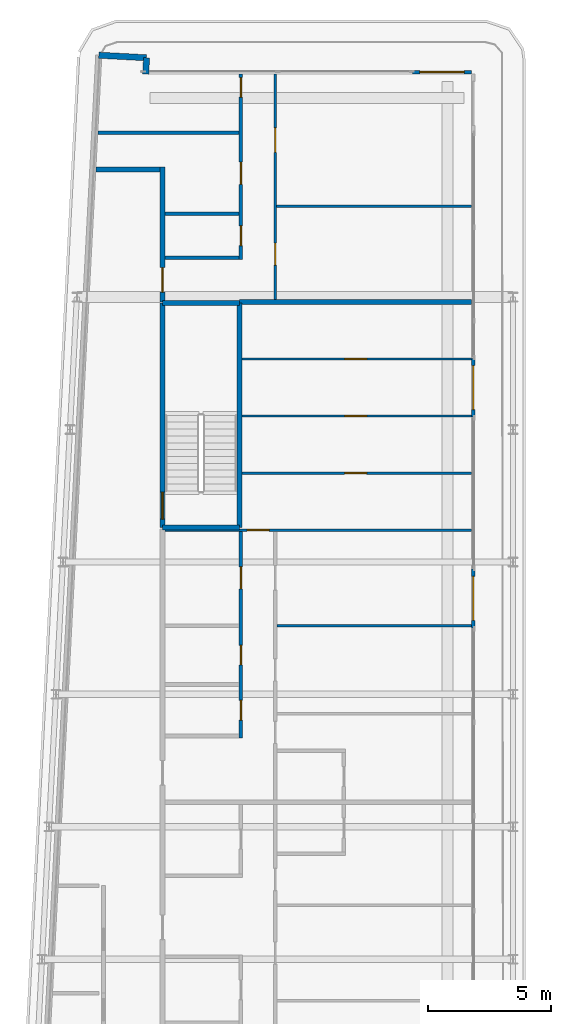
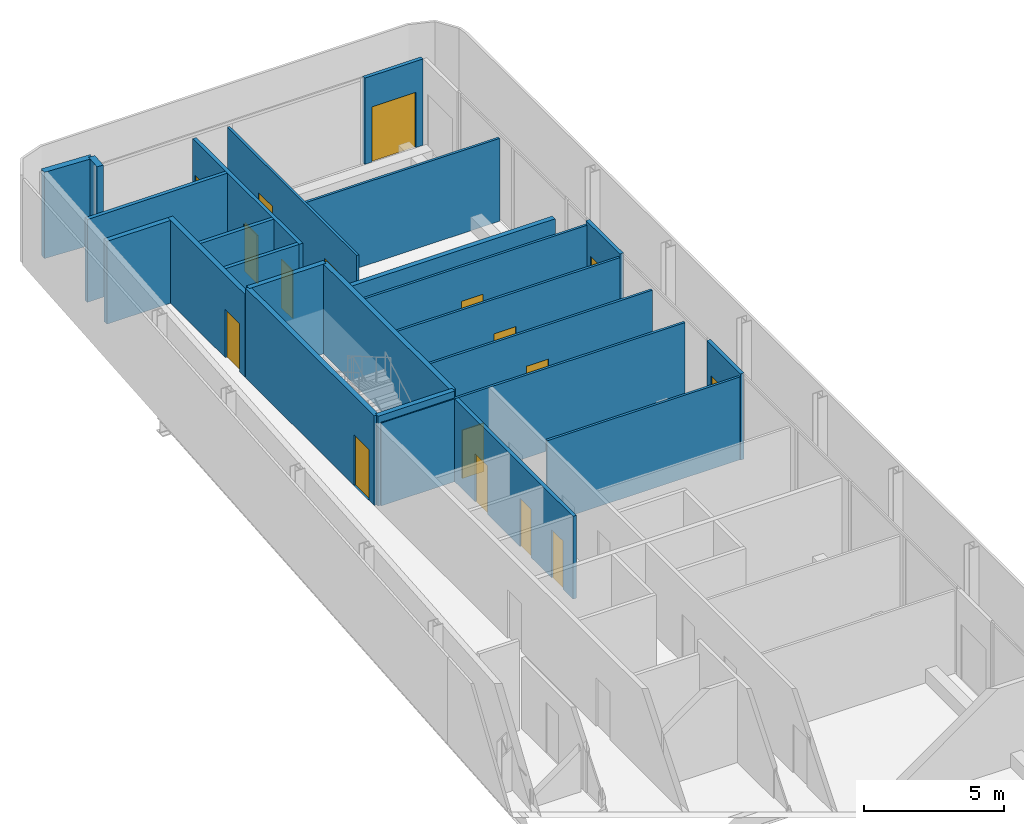
# One storey, part 14 of 21: 24 walls, 17 doors, 17 openings.
"""IFC4 building model written with IfcOpenShell, lengths in metres."""

from ifc_helpers import new_model, si_unit, direction, frame, frame_2d, origin, place, context, subcontext, project, spatial, rectangle, extrude, source, transform, mapped, material, layer, layer_set, type_object, element, fill, save


model = new_model("IFC4")

# Units and contexts
model_context = context("Model", 3, precision=1e-05, world=origin(), true_north=direction((0.0, 1.0)))
body_context = subcontext(model_context, "Body", "Model", "MODEL_VIEW")
ifc_project = project(units=[si_unit("LENGTHUNIT", "METRE"), si_unit("AREAUNIT", "SQUARE_METRE"), si_unit("VOLUMEUNIT", "CUBIC_METRE"), si_unit("PLANEANGLEUNIT", "RADIAN"), si_unit("MASSUNIT", "GRAM", prefix="KILO")], contexts=[model_context])

# Site, building, storey
site_placement = place(None, origin())
site = spatial("IfcSite", under=ifc_project, at=site_placement, CompositionType="ELEMENT")
building_placement = place(site_placement, origin())
building = spatial("IfcBuilding", under=site, at=building_placement, Name="Kheshtan School and Residences Tower", CompositionType="ELEMENT")
storey_placement = place(building_placement, frame((0.0, 0.0, 282.5)))
storey = spatial("IfcBuildingStorey", under=building, at=storey_placement, Name="L66", CompositionType="ELEMENT", Elevation=282.5)

# Wall
ifc_material_1 = material(Name="Gypsum board on steel studs with fire boards", Category="steel")
ifc_layer_1 = layer(ifc_material_1, 0.199951171875)
ifc_layer_set_1 = layer_set([ifc_layer_1], Name="Corridor wall 200")
wall_type_1 = type_object("IfcWallType", Name="Corridor wall 200", PredefinedType="PARTITIONING", material=ifc_layer_set_1)
wall_1_placement = place(storey_placement, frame((30.584716796875, 94.0, 0.0), z_axis=(0.0, 0.0, 1.0), x_axis=(1.0, 0.0, 0.0)))
element("IfcWall", 1, at=wall_1_placement, inside=storey, type_object=wall_type_1, Name="Partition L66-002", PredefinedType="PARTITIONING", context=body_context, shape_type="SweptSolid", body=[
    extrude(rectangle(XDim=2.615234375, YDim=0.199951171875, at=frame_2d((1.3076171875, 0.0))), origin(), (0.0, 0.0, 1.0), 3.60009765625),
])

# Wall, opening, door
wall_2_placement = place(storey_placement, frame((33.300048828125, 88.60009765625, 0.0), z_axis=(0.0, 0.0, 1.0), x_axis=(0.0, 1.0, 0.0)))
wall_2 = element("IfcWall", 2, at=wall_2_placement, inside=storey, type_object=wall_type_1, Name="Partition L66-004", PredefinedType="PARTITIONING", context=body_context, shape_type="SweptSolid", body=[
    extrude(rectangle(XDim=5.5, YDim=0.199951171875, at=frame_2d((2.75, 0.0))), origin(), (0.0, 0.0, 1.0), 3.60009765625),
])
opening_1_placement = place(wall_2_placement, frame((0.39990234375, 0.0, 0.0)))
opening_1 = element("IfcOpeningElement", 3, at=opening_1_placement, cuts=wall_2, Name="Opening D66-023", PredefinedType="OPENING", context=body_context, shape_type="SweptSolid", body=[
    extrude(rectangle(XDim=1.0, YDim=2.10009765625, at=frame_2d((0.5, 1.050048828125))), frame((0.0, 0.10986328125, 0.0), z_axis=(0.0, -1.0, 0.0), x_axis=(1.0, 0.0, 0.0)), (0.0, 0.0, 1.0), 0.219970703125),
])
ifc_material_2 = material(Name="Steel-framed fire-resisting door leaf", Category="steel")
door_type_1 = type_object("IfcDoorType", Name="Fire door FD30S 1000 x 2100", OperationType="SINGLE_SWING_LEFT", PredefinedType="DOOR", material=ifc_material_2)
shared_shape_1 = source(origin(), body_context, "Body", "SweptSolid", [
    extrude(rectangle(XDim=1.0, YDim=2.10009765625, at=frame_2d((0.5, 1.050048828125))), frame((0.0, 0.02490234375, 0.0), z_axis=(0.0, -1.0, 0.0), x_axis=(1.0, 0.0, 0.0)), (0.0, 0.0, 1.0), 0.050048828125),
])
door_1_placement = place(opening_1_placement, origin())
door_1 = element("IfcDoor", 4, at=door_1_placement, inside=storey, type_object=door_type_1, Name="Door D66-023", OperationType="SINGLE_SWING_LEFT", OverallHeight=2.10009765625, OverallWidth=1.0, PredefinedType="DOOR", context=body_context, shape_type="MappedRepresentation", body=[
    mapped(shared_shape_1, transform((0.0, 0.0, 0.0), x_axis=(1.0, 0.0, 0.0), y_axis=(0.0, 1.0, 0.0), z_axis=(0.0, 0.0, 1.0), scale=1.0)),
])
fill(opening_1, door_1)

# Walls
ifc_material_3 = material(Name="Concrete C40/50 with ceramic cladding and mineral wool insulation", Category="concrete")
ifc_layer_2 = layer(ifc_material_3, 0.25)
ifc_layer_set_2 = layer_set([ifc_layer_2], Name="External wall 250 ceramic clad")
wall_type_2 = type_object("IfcWallType", Name="External wall 250 ceramic clad", PredefinedType="SOLIDWALL", material=ifc_layer_set_2)
wall_3_placement = place(storey_placement, frame((30.705078125, 98.6640625, 0.0), z_axis=(0.0, 0.0, 1.0), x_axis=(0.998577785791, -0.053314216913, 0.0)))
element("IfcWall", 5, at=wall_3_placement, inside=storey, type_object=wall_type_2, Name="External wall L66 5", PredefinedType="SOLIDWALL", context=body_context, shape_type="SweptSolid", body=[
    extrude(rectangle(XDim=1.95068359375, YDim=0.25, at=frame_2d((0.975341796875, 0.0))), origin(), (0.0, 0.0, 1.0), 3.75),
])
wall_4_placement = place(storey_placement, frame((32.653076171875, 98.56005859375, 0.0), z_axis=(0.0, 0.0, 1.0), x_axis=(-0.054093451632, -0.998535877418, 0.0)))
element("IfcWall", 6, at=wall_4_placement, inside=storey, type_object=wall_type_2, Name="External wall L66 6", PredefinedType="SOLIDWALL", context=body_context, shape_type="SweptSolid", body=[
    extrude(rectangle(XDim=0.66796875, YDim=0.25, at=frame_2d((0.333984375, 0.0))), origin(), (0.0, 0.0, 1.0), 3.75),
])

# Wall, opening, door
ifc_material_4 = material(Name="Aluminium frame wall with insulated infill", Category="aluminium")
ifc_layer_3 = layer(ifc_material_4, 0.14990234375)
ifc_layer_set_3 = layer_set([ifc_layer_3], Name="Glazing frame wall 150")
wall_type_3 = type_object("IfcWallType", Name="Glazing frame wall 150", PredefinedType="SOLIDWALL", material=ifc_layer_set_3)
wall_5_placement = place(storey_placement, frame((43.5, 97.97509765625, 0.0), z_axis=(0.0, 0.0, 1.0), x_axis=(1.0, 0.0, 0.0)))
wall_5 = element("IfcWall", 7, at=wall_5_placement, inside=storey, type_object=wall_type_3, Name="Balcony door wall L66 7.1", PredefinedType="SOLIDWALL", context=body_context, shape_type="SweptSolid", body=[
    extrude(rectangle(XDim=2.39990234375, YDim=0.14990234375, at=frame_2d((1.199951171875, 0.0))), origin(), (0.0, 0.0, 1.0), 3.75),
])
opening_2_placement = place(wall_5_placement, frame((0.300048828125, 0.0, 0.0)))
opening_2 = element("IfcOpeningElement", 8, at=opening_2_placement, cuts=wall_5, Name="Opening BD", PredefinedType="OPENING", context=body_context, shape_type="SweptSolid", body=[
    extrude(rectangle(XDim=1.800048828125, YDim=2.39990234375, at=frame_2d((0.89990234375, 1.199951171875))), frame((0.0, 0.0849609375, 0.0), z_axis=(0.0, -1.0, 0.0), x_axis=(1.0, 0.0, 0.0)), (0.0, 0.0, 1.0), 0.169921875),
])
ifc_material_5 = material(Name="Clear low-e glass in thermally broken aluminium frame", Category="aluminium")
door_type_2 = type_object("IfcDoorType", Name="Balcony sliding door", OperationType="SLIDING_TO_LEFT", PredefinedType="DOOR", material=ifc_material_5)
shared_shape_2 = source(origin(), body_context, "Body", "SweptSolid", [
    extrude(rectangle(XDim=1.800048828125, YDim=2.39990234375, at=frame_2d((0.89990234375, 1.199951171875))), frame((0.0, 0.02490234375, 0.0), z_axis=(0.0, -1.0, 0.0), x_axis=(1.0, 0.0, 0.0)), (0.0, 0.0, 1.0), 0.050048828125),
])
door_2_placement = place(opening_2_placement, origin())
door_2 = element("IfcDoor", 9, at=door_2_placement, inside=storey, type_object=door_type_2, Name="Balcony door L66 7.1", OperationType="SLIDING_TO_LEFT", OverallHeight=2.39990234375, OverallWidth=1.800048828125, PredefinedType="DOOR", context=body_context, shape_type="MappedRepresentation", body=[
    mapped(shared_shape_2, transform((0.0, 0.0, 0.0), x_axis=(1.0, 0.0, 0.0), y_axis=(0.0, 1.0, 0.0), z_axis=(0.0, 0.0, 1.0), scale=1.0)),
])
fill(opening_2, door_2)

wall_6_placement = place(storey_placement, frame((45.97509765625, 86.305908203125, 0.0), z_axis=(0.0, 0.0, 1.0), x_axis=(0.0, -1.0, 0.0)))
wall_6 = element("IfcWall", 10, at=wall_6_placement, inside=storey, type_object=wall_type_3, Name="Balcony door wall L66 8.2", PredefinedType="SOLIDWALL", context=body_context, shape_type="SweptSolid", body=[
    extrude(rectangle(XDim=2.39990234375, YDim=0.14990234375, at=frame_2d((1.199951171875, 0.0))), origin(), (0.0, 0.0, 1.0), 3.75),
])
opening_3_placement = place(wall_6_placement, frame((0.300048828125, 0.0, 0.0)))
opening_3 = element("IfcOpeningElement", 11, at=opening_3_placement, cuts=wall_6, Name="Opening BD", PredefinedType="OPENING", context=body_context, shape_type="SweptSolid", body=[
    extrude(rectangle(XDim=1.800048828125, YDim=2.39990234375, at=frame_2d((0.89990234375, 1.199951171875))), frame((0.0, 0.0849609375, 0.0), z_axis=(0.0, -1.0, 0.0), x_axis=(1.0, 0.0, 0.0)), (0.0, 0.0, 1.0), 0.169921875),
])
door_3_placement = place(opening_3_placement, origin())
door_3 = element("IfcDoor", 12, at=door_3_placement, inside=storey, type_object=door_type_2, Name="Balcony door L66 8.2", OperationType="SLIDING_TO_LEFT", OverallHeight=2.39990234375, OverallWidth=1.800048828125, PredefinedType="DOOR", context=body_context, shape_type="MappedRepresentation", body=[
    mapped(shared_shape_2, transform((0.0, 0.0, 0.0), x_axis=(1.0, 0.0, 0.0), y_axis=(0.0, 1.0, 0.0), z_axis=(0.0, 0.0, 1.0), scale=1.0)),
])
fill(opening_3, door_3)

wall_7_placement = place(storey_placement, frame((45.97509765625, 77.7119140625, 0.0), z_axis=(0.0, 0.0, 1.0), x_axis=(0.0, -1.0, 0.0)))
wall_7 = element("IfcWall", 13, at=wall_7_placement, inside=storey, type_object=wall_type_3, Name="Balcony door wall L66 8.3", PredefinedType="SOLIDWALL", context=body_context, shape_type="SweptSolid", body=[
    extrude(rectangle(XDim=2.39990234375, YDim=0.14990234375, at=frame_2d((1.199951171875, 0.0))), origin(), (0.0, 0.0, 1.0), 3.75),
])
opening_4_placement = place(wall_7_placement, frame((0.300048828125, 0.0, 0.0)))
opening_4 = element("IfcOpeningElement", 14, at=opening_4_placement, cuts=wall_7, Name="Opening BD", PredefinedType="OPENING", context=body_context, shape_type="SweptSolid", body=[
    extrude(rectangle(XDim=1.800048828125, YDim=2.39990234375, at=frame_2d((0.89990234375, 1.199951171875))), frame((0.0, 0.0849609375, 0.0), z_axis=(0.0, -1.0, 0.0), x_axis=(1.0, 0.0, 0.0)), (0.0, 0.0, 1.0), 0.169921875),
])
door_4_placement = place(opening_4_placement, origin())
door_4 = element("IfcDoor", 15, at=door_4_placement, inside=storey, type_object=door_type_2, Name="Balcony door L66 8.3", OperationType="SLIDING_TO_LEFT", OverallHeight=2.39990234375, OverallWidth=1.800048828125, PredefinedType="DOOR", context=body_context, shape_type="MappedRepresentation", body=[
    mapped(shared_shape_2, transform((0.0, 0.0, 0.0), x_axis=(1.0, 0.0, 0.0), y_axis=(0.0, 1.0, 0.0), z_axis=(0.0, 0.0, 1.0), scale=1.0)),
])
fill(opening_4, door_4)

ifc_material_6 = material(Name="Gypsum board on steel studs", Category="steel")
ifc_layer_4 = layer(ifc_material_6, 0.10009765625)
ifc_layer_set_4 = layer_set([ifc_layer_4], Name="Gypsum partition 100")
wall_type_4 = type_object("IfcWallType", Name="Gypsum partition 100", PredefinedType="PARTITIONING", material=ifc_layer_set_4)
wall_8_placement = place(storey_placement, frame((33.39990234375, 79.300048828125, 0.0), z_axis=(0.0, 0.0, 1.0), x_axis=(1.0, 0.0, 0.0)))
wall_8 = element("IfcWall", 16, at=wall_8_placement, inside=storey, type_object=wall_type_4, Name="Partition L66-013", PredefinedType="PARTITIONING", context=body_context, shape_type="SweptSolid", body=[
    extrude(rectangle(XDim=12.5, YDim=0.10009765625, at=frame_2d((6.25, 0.0))), origin(), (0.0, 0.0, 1.0), 3.60009765625),
])
opening_5_placement = place(wall_8_placement, frame((3.35498046875, 0.0, 0.0)))
opening_5 = element("IfcOpeningElement", 17, at=opening_5_placement, cuts=wall_8, Name="Opening D66-017", PredefinedType="OPENING", context=body_context, shape_type="SweptSolid", body=[
    extrude(rectangle(XDim=0.89990234375, YDim=2.10009765625, at=frame_2d((0.449951171875, 1.050048828125))), frame((0.0, 0.06005859375, 0.0), z_axis=(0.0, -1.0, 0.0), x_axis=(1.0, 0.0, 0.0)), (0.0, 0.0, 1.0), 0.1201171875),
])
ifc_material_7 = material(Name="Veneered timber door leaf", Category="wood")
door_type_3 = type_object("IfcDoorType", Name="Door 900 x 2100", OperationType="SINGLE_SWING_LEFT", PredefinedType="DOOR", material=ifc_material_7)
shared_shape_3 = source(origin(), body_context, "Body", "SweptSolid", [
    extrude(rectangle(XDim=0.89990234375, YDim=2.10009765625, at=frame_2d((0.449951171875, 1.050048828125))), frame((0.0, 0.02490234375, 0.0), z_axis=(0.0, -1.0, 0.0), x_axis=(1.0, 0.0, 0.0)), (0.0, 0.0, 1.0), 0.050048828125),
])
door_5_placement = place(opening_5_placement, origin())
door_5 = element("IfcDoor", 18, at=door_5_placement, inside=storey, type_object=door_type_3, Name="Door D66-017", OperationType="SINGLE_SWING_LEFT", OverallHeight=2.10009765625, OverallWidth=0.89990234375, PredefinedType="DOOR", context=body_context, shape_type="MappedRepresentation", body=[
    mapped(shared_shape_3, transform((0.0, 0.0, 0.0), x_axis=(1.0, 0.0, 0.0), y_axis=(0.0, 1.0, 0.0), z_axis=(0.0, 0.0, 1.0), scale=1.0)),
])
fill(opening_5, door_5)

wall_9_placement = place(storey_placement, frame((36.549072265625, 81.625, 0.0), z_axis=(0.0, 0.0, 1.0), x_axis=(1.0, 0.0, 0.0)))
wall_9 = element("IfcWall", 19, at=wall_9_placement, inside=storey, type_object=wall_type_4, Name="Partition L66-023", PredefinedType="PARTITIONING", context=body_context, shape_type="SweptSolid", body=[
    extrude(rectangle(XDim=9.350830078125, YDim=0.10009765625, at=frame_2d((4.67529296875, 0.0))), origin(), (0.0, 0.0, 1.0), 3.60009765625),
])
opening_6_placement = place(wall_9_placement, frame((4.176025390625, 0.0, 0.0)))
opening_6 = element("IfcOpeningElement", 20, at=opening_6_placement, cuts=wall_9, Name="Opening D66-018", PredefinedType="OPENING", context=body_context, shape_type="SweptSolid", body=[
    extrude(rectangle(XDim=0.89990234375, YDim=2.10009765625, at=frame_2d((0.449951171875, 1.050048828125))), frame((0.0, 0.06005859375, 0.0), z_axis=(0.0, -1.0, 0.0), x_axis=(1.0, 0.0, 0.0)), (0.0, 0.0, 1.0), 0.1201171875),
])
door_6_placement = place(opening_6_placement, origin())
door_6 = element("IfcDoor", 21, at=door_6_placement, inside=storey, type_object=door_type_3, Name="Door D66-018", OperationType="SINGLE_SWING_RIGHT", OverallHeight=2.10009765625, OverallWidth=0.89990234375, PredefinedType="DOOR", context=body_context, shape_type="MappedRepresentation", body=[
    mapped(shared_shape_3, transform((0.0, 0.0, 0.0), x_axis=(1.0, 0.0, 0.0), y_axis=(0.0, 1.0, 0.0), z_axis=(0.0, 0.0, 1.0), scale=1.0)),
])
fill(opening_6, door_6)

wall_10_placement = place(storey_placement, frame((36.549072265625, 83.949951171875, 0.0), z_axis=(0.0, 0.0, 1.0), x_axis=(1.0, 0.0, 0.0)))
wall_10 = element("IfcWall", 22, at=wall_10_placement, inside=storey, type_object=wall_type_4, Name="Partition L66-024", PredefinedType="PARTITIONING", context=body_context, shape_type="SweptSolid", body=[
    extrude(rectangle(XDim=9.350830078125, YDim=0.10009765625, at=frame_2d((4.67529296875, 0.0))), origin(), (0.0, 0.0, 1.0), 3.60009765625),
])
opening_7_placement = place(wall_10_placement, frame((4.176025390625, 0.0, 0.0)))
opening_7 = element("IfcOpeningElement", 23, at=opening_7_placement, cuts=wall_10, Name="Opening D66-019", PredefinedType="OPENING", context=body_context, shape_type="SweptSolid", body=[
    extrude(rectangle(XDim=0.89990234375, YDim=2.10009765625, at=frame_2d((0.449951171875, 1.050048828125))), frame((0.0, 0.06005859375, 0.0), z_axis=(0.0, -1.0, 0.0), x_axis=(1.0, 0.0, 0.0)), (0.0, 0.0, 1.0), 0.1201171875),
])
door_7_placement = place(opening_7_placement, origin())
door_7 = element("IfcDoor", 24, at=door_7_placement, inside=storey, type_object=door_type_3, Name="Door D66-019", OperationType="SINGLE_SWING_RIGHT", OverallHeight=2.10009765625, OverallWidth=0.89990234375, PredefinedType="DOOR", context=body_context, shape_type="MappedRepresentation", body=[
    mapped(shared_shape_3, transform((0.0, 0.0, 0.0), x_axis=(1.0, 0.0, 0.0), y_axis=(0.0, 1.0, 0.0), z_axis=(0.0, 0.0, 1.0), scale=1.0)),
])
fill(opening_7, door_7)

wall_11_placement = place(storey_placement, frame((36.549072265625, 86.27490234375, 0.0), z_axis=(0.0, 0.0, 1.0), x_axis=(1.0, 0.0, 0.0)))
wall_11 = element("IfcWall", 25, at=wall_11_placement, inside=storey, type_object=wall_type_4, Name="Partition L66-025", PredefinedType="PARTITIONING", context=body_context, shape_type="SweptSolid", body=[
    extrude(rectangle(XDim=9.350830078125, YDim=0.10009765625, at=frame_2d((4.67529296875, 0.0))), origin(), (0.0, 0.0, 1.0), 3.60009765625),
])
opening_8_placement = place(wall_11_placement, frame((4.176025390625, 0.0, 0.0)))
opening_8 = element("IfcOpeningElement", 26, at=opening_8_placement, cuts=wall_11, Name="Opening D66-020", PredefinedType="OPENING", context=body_context, shape_type="SweptSolid", body=[
    extrude(rectangle(XDim=0.89990234375, YDim=2.10009765625, at=frame_2d((0.449951171875, 1.050048828125))), frame((0.0, 0.06005859375, 0.0), z_axis=(0.0, -1.0, 0.0), x_axis=(1.0, 0.0, 0.0)), (0.0, 0.0, 1.0), 0.1201171875),
])
door_8_placement = place(opening_8_placement, origin())
door_8 = element("IfcDoor", 27, at=door_8_placement, inside=storey, type_object=door_type_3, Name="Door D66-020", OperationType="SINGLE_SWING_RIGHT", OverallHeight=2.10009765625, OverallWidth=0.89990234375, PredefinedType="DOOR", context=body_context, shape_type="MappedRepresentation", body=[
    mapped(shared_shape_3, transform((0.0, 0.0, 0.0), x_axis=(1.0, 0.0, 0.0), y_axis=(0.0, 1.0, 0.0), z_axis=(0.0, 0.0, 1.0), scale=1.0)),
])
fill(opening_8, door_8)

# Wall, openings, doors
wall_12_placement = place(storey_placement, frame((37.89990234375, 88.699951171875, 0.0), z_axis=(0.0, 0.0, 1.0), x_axis=(0.0, 1.0, 0.0)))
wall_12 = element("IfcWall", 28, at=wall_12_placement, inside=storey, type_object=wall_type_4, Name="Partition L66-028", PredefinedType="PARTITIONING", context=body_context, shape_type="SweptSolid", body=[
    extrude(rectangle(XDim=9.199951171875, YDim=0.10009765625, at=frame_2d((4.60009765625, 0.0))), origin(), (0.0, 0.0, 1.0), 3.60009765625),
])
opening_9_placement = place(wall_12_placement, frame((1.39990234375, 0.0, 0.0)))
opening_9 = element("IfcOpeningElement", 29, at=opening_9_placement, cuts=wall_12, Name="Opening D66-022", PredefinedType="OPENING", context=body_context, shape_type="SweptSolid", body=[
    extrude(rectangle(XDim=0.89990234375, YDim=2.10009765625, at=frame_2d((0.449951171875, 1.050048828125))), frame((0.0, 0.06005859375, 0.0), z_axis=(0.0, -1.0, 0.0), x_axis=(1.0, 0.0, 0.0)), (0.0, 0.0, 1.0), 0.1201171875),
])
opening_10_placement = place(wall_12_placement, frame((6.0, 0.0, 0.0)))
opening_10 = element("IfcOpeningElement", 30, at=opening_10_placement, cuts=wall_12, Name="Opening D66-025", PredefinedType="OPENING", context=body_context, shape_type="SweptSolid", body=[
    extrude(rectangle(XDim=1.0, YDim=2.10009765625, at=frame_2d((0.5, 1.050048828125))), frame((0.0, 0.06005859375, 0.0), z_axis=(0.0, -1.0, 0.0), x_axis=(1.0, 0.0, 0.0)), (0.0, 0.0, 1.0), 0.1201171875),
])
door_type_4 = type_object("IfcDoorType", Name="Door 1000 x 2100", OperationType="SINGLE_SWING_LEFT", PredefinedType="DOOR", material=ifc_material_7)
shared_shape_4 = source(origin(), body_context, "Body", "SweptSolid", [
    extrude(rectangle(XDim=1.0, YDim=2.10009765625, at=frame_2d((0.5, 1.050048828125))), frame((0.0, 0.02490234375, 0.0), z_axis=(0.0, -1.0, 0.0), x_axis=(1.0, 0.0, 0.0)), (0.0, 0.0, 1.0), 0.050048828125),
])
door_9_placement = place(opening_10_placement, origin())
door_9 = element("IfcDoor", 31, at=door_9_placement, inside=storey, type_object=door_type_4, Name="Door D66-025", OperationType="SINGLE_SWING_RIGHT", OverallHeight=2.10009765625, OverallWidth=1.0, PredefinedType="DOOR", context=body_context, shape_type="MappedRepresentation", body=[
    mapped(shared_shape_4, transform((0.0, 0.0, 0.0), x_axis=(1.0, 0.0, 0.0), y_axis=(0.0, 1.0, 0.0), z_axis=(0.0, 0.0, 1.0), scale=1.0)),
])
fill(opening_10, door_9)
door_10_placement = place(opening_9_placement, origin())
door_10 = element("IfcDoor", 32, at=door_10_placement, inside=storey, type_object=door_type_3, Name="Door D66-022", OperationType="SINGLE_SWING_LEFT", OverallHeight=2.10009765625, OverallWidth=0.89990234375, PredefinedType="DOOR", context=body_context, shape_type="MappedRepresentation", body=[
    mapped(shared_shape_3, transform((0.0, 0.0, 0.0), x_axis=(1.0, 0.0, 0.0), y_axis=(0.0, 1.0, 0.0), z_axis=(0.0, 0.0, 1.0), scale=1.0)),
])
fill(opening_9, door_10)

# Walls
wall_13_placement = place(storey_placement, frame((37.949951171875, 92.5, 0.0), z_axis=(0.0, 0.0, 1.0), x_axis=(1.0, 0.0, 0.0)))
element("IfcWall", 33, at=wall_13_placement, inside=storey, type_object=wall_type_4, Name="Partition L66-029", PredefinedType="PARTITIONING", context=body_context, shape_type="SweptSolid", body=[
    extrude(rectangle(XDim=7.949951171875, YDim=0.10009765625, at=frame_2d((3.97509765625, 0.0))), origin(), (0.0, 0.0, 1.0), 3.60009765625),
])
wall_14_placement = place(storey_placement, frame((37.97509765625, 75.39990234375, 0.0), z_axis=(0.0, 0.0, 1.0), x_axis=(1.0, 0.0, 0.0)))
element("IfcWall", 34, at=wall_14_placement, inside=storey, type_object=wall_type_4, Name="Partition L66-035", PredefinedType="PARTITIONING", context=body_context, shape_type="SweptSolid", body=[
    extrude(rectangle(XDim=7.9248046875, YDim=0.10009765625, at=frame_2d((3.96240234375, 0.0))), origin(), (0.0, 0.0, 1.0), 3.60009765625),
])
ifc_material_8 = material(Name="Concrete C40/50", Category="concrete")
ifc_layer_5 = layer(ifc_material_8, 0.199951171875)
ifc_layer_set_5 = layer_set([ifc_layer_5], Name="Stair enclosure wall 200 Concrete C40/50")
wall_type_5 = type_object("IfcWallType", Name="Stair enclosure wall 200 Concrete C40/50", PredefinedType="SHEAR", material=ifc_layer_set_5)
for number, where, z_axis, x_axis, name in (
    (35, (33.300048828125, 79.39990234375, 0.0), (0.0, 0.0, 1.0), (1.0, 0.0, 0.0), "Stair enclosure wall ST3"),
    (36, (33.300048828125, 88.56005859375, 0.0), (0.0, 0.0, 1.0), (1.0, 0.0, 0.0), "Stair enclosure wall ST3"),
):
    element("IfcWall", number, at=place(storey_placement, frame(where, z_axis=z_axis, x_axis=x_axis)), inside=storey, type_object=wall_type_5, Name=name, PredefinedType="SHEAR", context=body_context, shape_type="SweptSolid", body=[
        extrude(rectangle(XDim=3.14990234375, YDim=0.199951171875, at=frame_2d((1.574951171875, 0.0))), origin(), (0.0, 0.0, 1.0), 3.89990234375),
    ])

# Wall, opening, door
wall_15_placement = place(storey_placement, frame((33.300048828125, 79.39990234375, 0.0), z_axis=(0.0, 0.0, 1.0), x_axis=(0.0, 1.0, 0.0)))
wall_15 = element("IfcWall", 37, at=wall_15_placement, inside=storey, type_object=wall_type_5, Name="Stair enclosure wall ST3", PredefinedType="SHEAR", context=body_context, shape_type="SweptSolid", body=[
    extrude(rectangle(XDim=9.16015625, YDim=0.199951171875, at=frame_2d((4.580078125, 0.0))), origin(), (0.0, 0.0, 1.0), 3.89990234375),
])
opening_11_placement = place(wall_15_placement, frame((0.35009765625, 0.0, 0.0)))
opening_11 = element("IfcOpeningElement", 38, at=opening_11_placement, cuts=wall_15, Name="Opening ST3D", PredefinedType="OPENING", context=body_context, shape_type="SweptSolid", body=[
    extrude(rectangle(XDim=1.10009765625, YDim=2.199951171875, at=frame_2d((0.550048828125, 1.10009765625))), frame((0.0, 0.10986328125, 0.0), z_axis=(0.0, -1.0, 0.0), x_axis=(1.0, 0.0, 0.0)), (0.0, 0.0, 1.0), 0.219970703125),
])
ifc_material_9 = material(Name="Steel door leaf, galvanised", Category="steel")
door_type_5 = type_object("IfcDoorType", Name="Stair door 1100 steel 90 min", OperationType="SINGLE_SWING_LEFT", PredefinedType="DOOR", material=ifc_material_9)
shared_shape_5 = source(origin(), body_context, "Body", "SweptSolid", [
    extrude(rectangle(XDim=1.10009765625, YDim=2.199951171875, at=frame_2d((0.550048828125, 1.10009765625))), frame((0.0, 0.02490234375, 0.0), z_axis=(0.0, -1.0, 0.0), x_axis=(1.0, 0.0, 0.0)), (0.0, 0.0, 1.0), 0.050048828125),
])
door_11_placement = place(opening_11_placement, origin())
door_11 = element("IfcDoor", 39, at=door_11_placement, inside=storey, type_object=door_type_5, Name="Stair ST3 door", OperationType="SINGLE_SWING_RIGHT", OverallHeight=2.199951171875, OverallWidth=1.10009765625, PredefinedType="DOOR", context=body_context, shape_type="MappedRepresentation", body=[
    mapped(shared_shape_5, transform((0.0, 0.0, 0.0), x_axis=(1.0, 0.0, 0.0), y_axis=(0.0, 1.0, 0.0), z_axis=(0.0, 0.0, 1.0), scale=1.0)),
])
fill(opening_11, door_11)

# Walls
wall_16_placement = place(storey_placement, frame((36.449951171875, 79.39990234375, 0.0), z_axis=(0.0, 0.0, 1.0), x_axis=(0.0, 1.0, 0.0)))
element("IfcWall", 40, at=wall_16_placement, inside=storey, type_object=wall_type_5, Name="Stair enclosure wall ST3", PredefinedType="SHEAR", context=body_context, shape_type="SweptSolid", body=[
    extrude(rectangle(XDim=9.16015625, YDim=0.199951171875, at=frame_2d((4.580078125, 0.0))), origin(), (0.0, 0.0, 1.0), 3.89990234375),
])
ifc_material_10 = material(Name="Twin gypsum board on steel studs with mineral wool", Category="steel")
ifc_layer_6 = layer(ifc_material_10, 0.199951171875)
ifc_layer_set_6 = layer_set([ifc_layer_6], Name="Unit demising wall 200")
wall_type_6 = type_object("IfcWallType", Name="Unit demising wall 200", PredefinedType="PARTITIONING", material=ifc_layer_set_6)
wall_17_placement = place(storey_placement, frame((36.449951171875, 88.60009765625, 0.0), z_axis=(0.0, 0.0, 1.0), x_axis=(1.0, 0.0, 0.0)))
element("IfcWall", 41, at=wall_17_placement, inside=storey, type_object=wall_type_6, Name="Partition L66-021", PredefinedType="PARTITIONING", context=body_context, shape_type="SweptSolid", body=[
    extrude(rectangle(XDim=9.449951171875, YDim=0.199951171875, at=frame_2d((4.72509765625, 0.0))), origin(), (0.0, 0.0, 1.0), 2.5),
])
ifc_material_11 = material(Name="Moisture-resistant gypsum board on steel studs", Category="steel")
ifc_layer_7 = layer(ifc_material_11, 0.14990234375)
ifc_layer_set_7 = layer_set([ifc_layer_7], Name="Wet-room partition 150")
wall_type_7 = type_object("IfcWallType", Name="Wet-room partition 150", PredefinedType="PARTITIONING", material=ifc_layer_set_7)
wall_18_placement = place(storey_placement, frame((30.6640625, 95.5, 0.0), z_axis=(0.0, 0.0, 1.0), x_axis=(1.0, 0.0, 0.0)))
element("IfcWall", 42, at=wall_18_placement, inside=storey, type_object=wall_type_7, Name="Partition L66-001", PredefinedType="PARTITIONING", context=body_context, shape_type="SweptSolid", body=[
    extrude(rectangle(XDim=5.760986328125, YDim=0.14990234375, at=frame_2d((2.88037109375, 0.0))), origin(), (0.0, 0.0, 1.0), 3.60009765625),
])
for number, where, z_axis, x_axis, name in (
    (43, (33.39990234375, 90.39990234375, 0.0), (0.0, 0.0, 1.0), (1.0, 0.0, 0.0), "Partition L66-014"),
    (44, (33.39990234375, 92.199951171875, 0.0), (0.0, 0.0, 1.0), (1.0, 0.0, 0.0), "Partition L66-015"),
):
    element("IfcWall", number, at=place(storey_placement, frame(where, z_axis=z_axis, x_axis=x_axis)), inside=storey, type_object=wall_type_7, Name=name, PredefinedType="PARTITIONING", context=body_context, shape_type="SweptSolid", body=[
        extrude(rectangle(XDim=3.025146484375, YDim=0.14990234375, at=frame_2d((1.5126953125, 0.0))), origin(), (0.0, 0.0, 1.0), 3.60009765625),
    ])

# Wall, openings, doors
wall_19_placement = place(storey_placement, frame((36.5, 70.824951171875, 0.0), z_axis=(0.0, 0.0, 1.0), x_axis=(0.0, 1.0, 0.0)))
wall_19 = element("IfcWall", 45, at=wall_19_placement, inside=storey, type_object=wall_type_7, Name="Partition L66-020", PredefinedType="PARTITIONING", context=body_context, shape_type="SweptSolid", body=[
    extrude(rectangle(XDim=8.425048828125, YDim=0.14990234375, at=frame_2d((4.21240234375, 0.0))), origin(), (0.0, 0.0, 1.0), 3.60009765625),
])
opening_12_placement = place(wall_19_placement, frame((2.97509765625, 0.0, 0.0)))
opening_12 = element("IfcOpeningElement", 46, at=opening_12_placement, cuts=wall_19, Name="Opening D66-009", PredefinedType="OPENING", context=body_context, shape_type="SweptSolid", body=[
    extrude(rectangle(XDim=0.800048828125, YDim=2.10009765625, at=frame_2d((0.39990234375, 1.050048828125))), frame((0.0, 0.0849609375, 0.0), z_axis=(0.0, -1.0, 0.0), x_axis=(1.0, 0.0, 0.0)), (0.0, 0.0, 1.0), 0.169921875),
])
opening_13_placement = place(wall_19_placement, frame((6.074951171875, 0.0, 0.0)))
opening_13 = element("IfcOpeningElement", 47, at=opening_13_placement, cuts=wall_19, Name="Opening D66-013", PredefinedType="OPENING", context=body_context, shape_type="SweptSolid", body=[
    extrude(rectangle(XDim=0.89990234375, YDim=2.10009765625, at=frame_2d((0.449951171875, 1.050048828125))), frame((0.0, 0.0849609375, 0.0), z_axis=(0.0, -1.0, 0.0), x_axis=(1.0, 0.0, 0.0)), (0.0, 0.0, 1.0), 0.169921875),
])
opening_14_placement = place(wall_19_placement, frame((0.72509765625, 0.0, 0.0)))
opening_14 = element("IfcOpeningElement", 48, at=opening_14_placement, cuts=wall_19, Name="Opening D66-016", PredefinedType="OPENING", context=body_context, shape_type="SweptSolid", body=[
    extrude(rectangle(XDim=0.800048828125, YDim=2.10009765625, at=frame_2d((0.39990234375, 1.050048828125))), frame((0.0, 0.0849609375, 0.0), z_axis=(0.0, -1.0, 0.0), x_axis=(1.0, 0.0, 0.0)), (0.0, 0.0, 1.0), 0.169921875),
])
door_type_6 = type_object("IfcDoorType", Name="Door 800 x 2100", OperationType="SINGLE_SWING_LEFT", PredefinedType="DOOR", material=ifc_material_7)
shared_shape_6 = source(origin(), body_context, "Body", "SweptSolid", [
    extrude(rectangle(XDim=0.800048828125, YDim=2.10009765625, at=frame_2d((0.39990234375, 1.050048828125))), frame((0.0, 0.02490234375, 0.0), z_axis=(0.0, -1.0, 0.0), x_axis=(1.0, 0.0, 0.0)), (0.0, 0.0, 1.0), 0.050048828125),
])
door_12_placement = place(opening_12_placement, origin())
door_12 = element("IfcDoor", 49, at=door_12_placement, inside=storey, type_object=door_type_6, Name="Door D66-009", OperationType="SINGLE_SWING_RIGHT", OverallHeight=2.10009765625, OverallWidth=0.800048828125, PredefinedType="DOOR", context=body_context, shape_type="MappedRepresentation", body=[
    mapped(shared_shape_6, transform((0.0, 0.0, 0.0), x_axis=(1.0, 0.0, 0.0), y_axis=(0.0, 1.0, 0.0), z_axis=(0.0, 0.0, 1.0), scale=1.0)),
])
fill(opening_12, door_12)
door_13_placement = place(opening_14_placement, origin())
door_13 = element("IfcDoor", 50, at=door_13_placement, inside=storey, type_object=door_type_6, Name="Door D66-016", OperationType="SINGLE_SWING_LEFT", OverallHeight=2.10009765625, OverallWidth=0.800048828125, PredefinedType="DOOR", context=body_context, shape_type="MappedRepresentation", body=[
    mapped(shared_shape_6, transform((0.0, 0.0, 0.0), x_axis=(1.0, 0.0, 0.0), y_axis=(0.0, 1.0, 0.0), z_axis=(0.0, 0.0, 1.0), scale=1.0)),
])
fill(opening_14, door_13)
door_14_placement = place(opening_13_placement, origin())
door_14 = element("IfcDoor", 51, at=door_14_placement, inside=storey, type_object=door_type_3, Name="Door D66-013", OperationType="SINGLE_SWING_LEFT", OverallHeight=2.10009765625, OverallWidth=0.89990234375, PredefinedType="DOOR", context=body_context, shape_type="MappedRepresentation", body=[
    mapped(shared_shape_3, transform((0.0, 0.0, 0.0), x_axis=(1.0, 0.0, 0.0), y_axis=(0.0, 1.0, 0.0), z_axis=(0.0, 0.0, 1.0), scale=1.0)),
])
fill(opening_13, door_14)

wall_20_placement = place(storey_placement, frame((36.5, 90.324951171875, 0.0), z_axis=(0.0, 0.0, 1.0), x_axis=(0.0, 1.0, 0.0)))
wall_20 = element("IfcWall", 52, at=wall_20_placement, inside=storey, type_object=wall_type_7, Name="Partition L66-022", PredefinedType="PARTITIONING", context=body_context, shape_type="SweptSolid", body=[
    extrude(rectangle(XDim=7.574951171875, YDim=0.14990234375, at=frame_2d((3.78759765625, 0.0))), origin(), (0.0, 0.0, 1.0), 3.60009765625),
])
opening_15_placement = place(wall_20_placement, frame((6.625, 0.0, 0.0)))
opening_15 = element("IfcOpeningElement", 53, at=opening_15_placement, cuts=wall_20, Name="Opening D66-021", PredefinedType="OPENING", context=body_context, shape_type="SweptSolid", body=[
    extrude(rectangle(XDim=0.800048828125, YDim=2.10009765625, at=frame_2d((0.39990234375, 1.050048828125))), frame((0.0, 0.0849609375, 0.0), z_axis=(0.0, -1.0, 0.0), x_axis=(1.0, 0.0, 0.0)), (0.0, 0.0, 1.0), 0.169921875),
])
opening_16_placement = place(wall_20_placement, frame((3.074951171875, 0.0, 0.0)))
opening_16 = element("IfcOpeningElement", 54, at=opening_16_placement, cuts=wall_20, Name="Opening D66-024", PredefinedType="OPENING", context=body_context, shape_type="SweptSolid", body=[
    extrude(rectangle(XDim=0.89990234375, YDim=2.10009765625, at=frame_2d((0.449951171875, 1.050048828125))), frame((0.0, 0.0849609375, 0.0), z_axis=(0.0, -1.0, 0.0), x_axis=(1.0, 0.0, 0.0)), (0.0, 0.0, 1.0), 0.169921875),
])
opening_17_placement = place(wall_20_placement, frame((0.574951171875, 0.0, 0.0)))
opening_17 = element("IfcOpeningElement", 55, at=opening_17_placement, cuts=wall_20, Name="Opening D66-026", PredefinedType="OPENING", context=body_context, shape_type="SweptSolid", body=[
    extrude(rectangle(XDim=0.800048828125, YDim=2.10009765625, at=frame_2d((0.39990234375, 1.050048828125))), frame((0.0, 0.0849609375, 0.0), z_axis=(0.0, -1.0, 0.0), x_axis=(1.0, 0.0, 0.0)), (0.0, 0.0, 1.0), 0.169921875),
])
door_15_placement = place(opening_15_placement, origin())
door_15 = element("IfcDoor", 56, at=door_15_placement, inside=storey, type_object=door_type_6, Name="Door D66-021", OperationType="SINGLE_SWING_LEFT", OverallHeight=2.10009765625, OverallWidth=0.800048828125, PredefinedType="DOOR", context=body_context, shape_type="MappedRepresentation", body=[
    mapped(shared_shape_6, transform((0.0, 0.0, 0.0), x_axis=(1.0, 0.0, 0.0), y_axis=(0.0, 1.0, 0.0), z_axis=(0.0, 0.0, 1.0), scale=1.0)),
])
fill(opening_15, door_15)
door_16_placement = place(opening_17_placement, origin())
door_16 = element("IfcDoor", 57, at=door_16_placement, inside=storey, type_object=door_type_6, Name="Door D66-026", OperationType="SINGLE_SWING_RIGHT", OverallHeight=2.10009765625, OverallWidth=0.800048828125, PredefinedType="DOOR", context=body_context, shape_type="MappedRepresentation", body=[
    mapped(shared_shape_6, transform((0.0, 0.0, 0.0), x_axis=(1.0, 0.0, 0.0), y_axis=(0.0, 1.0, 0.0), z_axis=(0.0, 0.0, 1.0), scale=1.0)),
])
fill(opening_17, door_16)
door_17_placement = place(opening_16_placement, origin())
door_17 = element("IfcDoor", 58, at=door_17_placement, inside=storey, type_object=door_type_3, Name="Door D66-024", OperationType="SINGLE_SWING_LEFT", OverallHeight=2.10009765625, OverallWidth=0.89990234375, PredefinedType="DOOR", context=body_context, shape_type="MappedRepresentation", body=[
    mapped(shared_shape_3, transform((0.0, 0.0, 0.0), x_axis=(1.0, 0.0, 0.0), y_axis=(0.0, 1.0, 0.0), z_axis=(0.0, 0.0, 1.0), scale=1.0)),
])
fill(opening_16, door_17)

save(model, "model.ifc")
